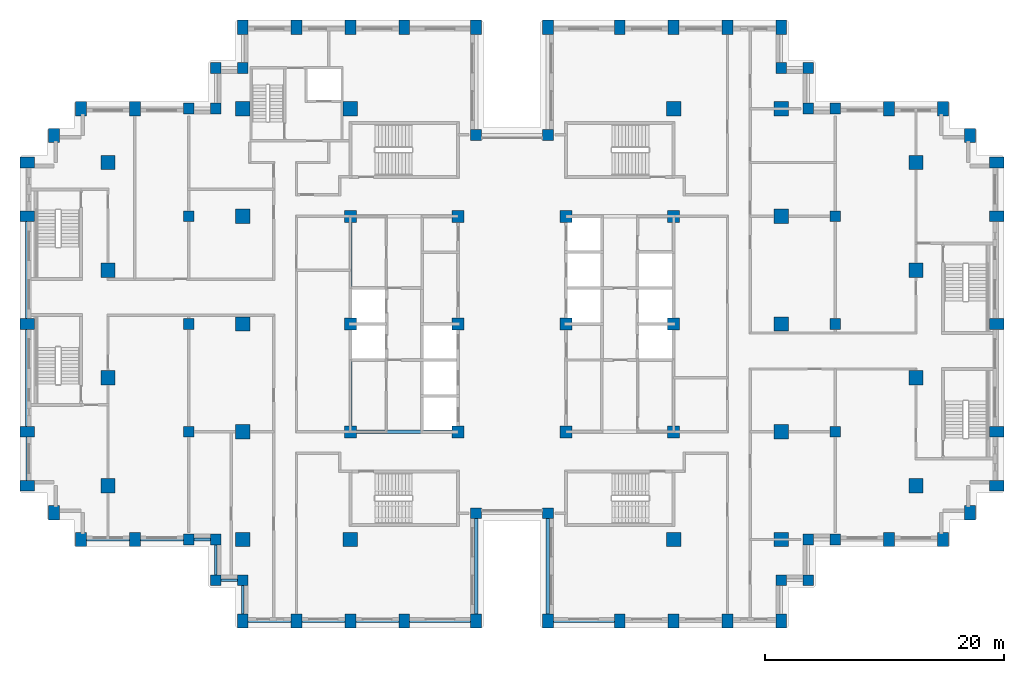
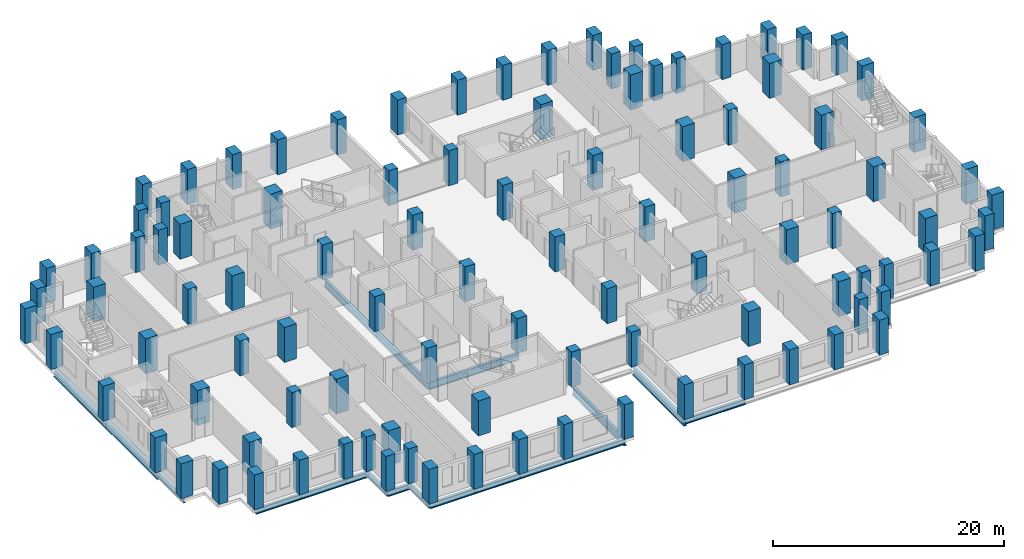
# One storey, part 1 of 15: 102 columns, 19 beams.
"""IFC4 building model written with IfcOpenShell, lengths in metres."""

from ifc_helpers import new_model, si_unit, direction, frame, origin, origin_2d, place, context, subcontext, project, spatial, rectangle, i_section, extrude, material, material_profile, profile_set, type_object, element, save


model = new_model("IFC4")

# Units and contexts
model_context = context("Model", 3, precision=1e-05, world=origin(), true_north=direction((0.0, 1.0)))
body_context = subcontext(model_context, "Body", "Model", "MODEL_VIEW")
ifc_project = project(units=[si_unit("LENGTHUNIT", "METRE"), si_unit("AREAUNIT", "SQUARE_METRE"), si_unit("VOLUMEUNIT", "CUBIC_METRE"), si_unit("PLANEANGLEUNIT", "RADIAN"), si_unit("MASSUNIT", "GRAM", prefix="KILO")], contexts=[model_context])

# Site, building, storey
site_placement = place(None, origin())
site = spatial("IfcSite", under=ifc_project, at=site_placement, CompositionType="ELEMENT")
building_placement = place(site_placement, origin())
building = spatial("IfcBuilding", under=site, at=building_placement, Name="Corbelhall Arena Tower", CompositionType="ELEMENT")
storey_placement = place(building_placement, frame((0.0, 0.0, 100.0)))
storey = spatial("IfcBuildingStorey", under=building, at=storey_placement, Name="L17", CompositionType="ELEMENT", Elevation=100.0)

# Columns
ifc_material_1 = material(Name="Concrete C80/95", Category="concrete")
ifc_material_profile_1 = material_profile(ifc_material_1, rectangle(XDim=1.0, YDim=1.0, at=origin_2d()))
ifc_profile_set_1 = profile_set([ifc_material_profile_1], Name="Concrete C80/95")
column_type_1 = type_object("IfcColumnType", Name="ST-COL-RC 1000x1000", PredefinedType="COLUMN", material=ifc_profile_set_1)
for number, where, z_axis, x_axis, name in (
    (1, (4.5, 0.0, 0.0), (0.0, 0.0, 1.0), (1.0, 0.0, 0.0), "Column KE+0450+0000"),
    (2, (4.5, 9.0, 0.0), (0.0, 0.0, 1.0), (1.0, 0.0, 0.0), "Column KE+0450+0900"),
    (3, (4.5, -9.0, 0.0), (0.0, 0.0, 1.0), (1.0, 0.0, 0.0), "Column KE+0450-0900"),
    (4, (13.5, 0.0, 0.0), (0.0, 0.0, 1.0), (1.0, 0.0, 0.0), "Column KE+1350+0000"),
    (5, (13.5, 9.0, 0.0), (0.0, 0.0, 1.0), (1.0, 0.0, 0.0), "Column KE+1350+0900"),
    (6, (13.5, -9.0, 0.0), (0.0, 0.0, 1.0), (1.0, 0.0, 0.0), "Column KE+1350-0900"),
    (7, (-4.5, 0.0, 0.0), (0.0, 0.0, 1.0), (1.0, 0.0, 0.0), "Column KW-0450+0000"),
    (8, (-4.5, 9.0, 0.0), (0.0, 0.0, 1.0), (1.0, 0.0, 0.0), "Column KW-0450+0900"),
    (9, (-4.5, -9.0, 0.0), (0.0, 0.0, 1.0), (1.0, 0.0, 0.0), "Column KW-0450-0900"),
    (10, (-13.5, 0.0, 0.0), (0.0, 0.0, 1.0), (1.0, 0.0, 0.0), "Column KW-1350+0000"),
    (11, (-13.5, 9.0, 0.0), (0.0, 0.0, 1.0), (1.0, 0.0, 0.0), "Column KW-1350+0900"),
    (12, (-13.5, -9.0, 0.0), (0.0, 0.0, 1.0), (1.0, 0.0, 0.0), "Column KW-1350-0900"),
):
    element("IfcColumn", number, at=place(storey_placement, frame(where, z_axis=z_axis, x_axis=x_axis)), inside=storey, type_object=column_type_1, Name=name, PredefinedType="COLUMN", context=body_context, shape_type="SweptSolid", body=[
        extrude(rectangle(XDim=1.0, YDim=1.0, at=origin_2d()), origin(), (0.0, 0.0, 1.0), 3.699951171875),
    ])
ifc_material_profile_2 = material_profile(ifc_material_1, rectangle(XDim=1.199951171875, YDim=1.199951171875, at=origin_2d()))
ifc_profile_set_2 = profile_set([ifc_material_profile_2], Name="Concrete C80/95")
column_type_2 = type_object("IfcColumnType", Name="ST-COL-RC 1200x1200", PredefinedType="COLUMN", material=ifc_profile_set_2)
for number, where, z_axis, x_axis, name in (
    (13, (-33.75, 4.5, 0.0), (0.0, 0.0, 1.0), (1.0, 0.0, 0.0), "Column FIC+0450"),
    (14, (-33.75, 13.5, 0.0), (0.0, 0.0, 1.0), (1.0, 0.0, 0.0), "Column FIC+1350"),
    (15, (-33.75, -4.5, 0.0), (0.0, 0.0, 1.0), (1.0, 0.0, 0.0), "Column FIC-0450"),
    (16, (-33.75, -13.5, 0.0), (0.0, 0.0, 1.0), (1.0, 0.0, 0.0), "Column FIC-1350"),
    (17, (33.75, 4.5, 0.0), (0.0, 0.0, 1.0), (1.0, 0.0, 0.0), "Column FID+0450"),
    (18, (33.75, 13.5, 0.0), (0.0, 0.0, 1.0), (1.0, 0.0, 0.0), "Column FID+1350"),
    (19, (33.75, -4.5, 0.0), (0.0, 0.0, 1.0), (1.0, 0.0, 0.0), "Column FID-0450"),
    (20, (33.75, -13.5, 0.0), (0.0, 0.0, 1.0), (1.0, 0.0, 0.0), "Column FID-1350"),
    (21, (13.5, 18.0, 0.0), (0.0, 0.0, 1.0), (1.0, 0.0, 0.0), "Column IE13+1800"),
    (22, (13.5, -18.0, 0.0), (0.0, 0.0, 1.0), (1.0, 0.0, 0.0), "Column IE13-1800"),
    (23, (22.5, 0.0, 0.0), (0.0, 0.0, 1.0), (1.0, 0.0, 0.0), "Column IE22+0000"),
    (24, (22.5, 9.0, 0.0), (0.0, 0.0, 1.0), (1.0, 0.0, 0.0), "Column IE22+0900"),
    (25, (22.5, 18.0, 0.0), (0.0, 0.0, 1.0), (1.0, 0.0, 0.0), "Column IE22+1800"),
    (26, (22.5, -9.0, 0.0), (0.0, 0.0, 1.0), (1.0, 0.0, 0.0), "Column IE22-0900"),
    (27, (22.5, -18.0, 0.0), (0.0, 0.0, 1.0), (1.0, 0.0, 0.0), "Column IE22-1800"),
    (28, (-13.5, 18.0, 0.0), (0.0, 0.0, 1.0), (1.0, 0.0, 0.0), "Column IW13+1800"),
    (29, (-13.5, -18.0, 0.0), (0.0, 0.0, 1.0), (1.0, 0.0, 0.0), "Column IW13-1800"),
    (30, (-22.5, 0.0, 0.0), (0.0, 0.0, 1.0), (1.0, 0.0, 0.0), "Column IW22+0000"),
    (31, (-22.5, 9.0, 0.0), (0.0, 0.0, 1.0), (1.0, 0.0, 0.0), "Column IW22+0900"),
    (32, (-22.5, 18.0, 0.0), (0.0, 0.0, 1.0), (1.0, 0.0, 0.0), "Column IW22+1800"),
    (33, (-22.5, -9.0, 0.0), (0.0, 0.0, 1.0), (1.0, 0.0, 0.0), "Column IW22-0900"),
    (34, (-22.5, -18.0, 0.0), (0.0, 0.0, 1.0), (1.0, 0.0, 0.0), "Column IW22-1800"),
):
    element("IfcColumn", number, at=place(storey_placement, frame(where, z_axis=z_axis, x_axis=x_axis)), inside=storey, type_object=column_type_2, Name=name, PredefinedType="COLUMN", context=body_context, shape_type="SweptSolid", body=[
        extrude(rectangle(XDim=1.199951171875, YDim=1.199951171875, at=origin_2d()), origin(), (0.0, 0.0, 1.0), 3.699951171875),
    ])
ifc_material_profile_3 = material_profile(ifc_material_1, rectangle(XDim=0.89990234375, YDim=1.199951171875, at=origin_2d()))
ifc_profile_set_3 = profile_set([ifc_material_profile_3], Name="Concrete C80/95")
column_type_3 = type_object("IfcColumnType", Name="ST-COL-RC 900x1200", PredefinedType="COLUMN", material=ifc_profile_set_3)
for number, where, z_axis, x_axis, name in (
    (35, (-40.5, 0.0, 0.0), (0.0, 0.0, 1.0), (0.0, 1.0, 0.0), "Column FC+0000"),
    (36, (-40.5, 9.0, 0.0), (0.0, 0.0, 1.0), (0.0, 1.0, 0.0), "Column FC+0900"),
    (37, (-40.5, 13.5, 0.0), (0.0, 0.0, 1.0), (0.0, 1.0, 0.0), "Column FC+1350"),
    (38, (-40.5, -9.0, 0.0), (0.0, 0.0, 1.0), (0.0, 1.0, 0.0), "Column FC-0900"),
    (39, (-40.5, -13.5, 0.0), (0.0, 0.0, 1.0), (0.0, 1.0, 0.0), "Column FC-1350"),
    (40, (-38.25, 15.75, 0.0), (0.0, 0.0, 1.0), (1.0, 0.0, 0.0), "Column FCCN"),
    (41, (-38.25, -15.75, 0.0), (0.0, 0.0, 1.0), (1.0, 0.0, 0.0), "Column FCCS"),
    (42, (-31.5, 18.0, 0.0), (0.0, 0.0, 1.0), (1.0, 0.0, 0.0), "Column FCN3150"),
    (43, (-36.0, 18.0, 0.0), (0.0, 0.0, 1.0), (1.0, 0.0, 0.0), "Column FCN3600"),
    (44, (-31.5, -18.0, 0.0), (0.0, 0.0, 1.0), (1.0, 0.0, 0.0), "Column FCS3150"),
    (45, (-36.0, -18.0, 0.0), (0.0, 0.0, 1.0), (1.0, 0.0, 0.0), "Column FCS3600"),
    (46, (40.5, 0.0, 0.0), (0.0, 0.0, 1.0), (0.0, 1.0, 0.0), "Column FD+0000"),
    (47, (40.5, 9.0, 0.0), (0.0, 0.0, 1.0), (0.0, 1.0, 0.0), "Column FD+0900"),
    (48, (40.5, 13.5, 0.0), (0.0, 0.0, 1.0), (0.0, 1.0, 0.0), "Column FD+1350"),
    (49, (40.5, -9.0, 0.0), (0.0, 0.0, 1.0), (0.0, 1.0, 0.0), "Column FD-0900"),
    (50, (40.5, -13.5, 0.0), (0.0, 0.0, 1.0), (0.0, 1.0, 0.0), "Column FD-1350"),
    (51, (38.25, 15.75, 0.0), (0.0, 0.0, 1.0), (1.0, 0.0, 0.0), "Column FDCN"),
    (52, (38.25, -15.75, 0.0), (0.0, 0.0, 1.0), (1.0, 0.0, 0.0), "Column FDCS"),
    (53, (31.5, 18.0, 0.0), (0.0, 0.0, 1.0), (1.0, 0.0, 0.0), "Column FDN3150"),
    (54, (36.0, 18.0, 0.0), (0.0, 0.0, 1.0), (1.0, 0.0, 0.0), "Column FDN3600"),
    (55, (31.5, -18.0, 0.0), (0.0, 0.0, 1.0), (1.0, 0.0, 0.0), "Column FDS3150"),
    (56, (36.0, -18.0, 0.0), (0.0, 0.0, 1.0), (1.0, 0.0, 0.0), "Column FDS3600"),
    (57, (3.0, 24.800048828125, 0.0), (0.0, 0.0, 1.0), (1.0, 0.0, 0.0), "Column PNE0300"),
    (58, (9.0, 24.800048828125, 0.0), (0.0, 0.0, 1.0), (1.0, 0.0, 0.0), "Column PNE0900"),
    (59, (13.5, 24.800048828125, 0.0), (0.0, 0.0, 1.0), (1.0, 0.0, 0.0), "Column PNE1350"),
    (60, (18.0, 24.800048828125, 0.0), (0.0, 0.0, 1.0), (1.0, 0.0, 0.0), "Column PNE1800"),
    (61, (22.5, 24.800048828125, 0.0), (0.0, 0.0, 1.0), (1.0, 0.0, 0.0), "Column PNE2250"),
    (62, (-3.0, 24.800048828125, 0.0), (0.0, 0.0, 1.0), (1.0, 0.0, 0.0), "Column PNW0300"),
    (63, (-9.0, 24.800048828125, 0.0), (0.0, 0.0, 1.0), (1.0, 0.0, 0.0), "Column PNW0900"),
    (64, (-13.5, 24.800048828125, 0.0), (0.0, 0.0, 1.0), (1.0, 0.0, 0.0), "Column PNW1350"),
    (65, (-18.0, 24.800048828125, 0.0), (0.0, 0.0, 1.0), (1.0, 0.0, 0.0), "Column PNW1800"),
    (66, (-22.5, 24.800048828125, 0.0), (0.0, 0.0, 1.0), (1.0, 0.0, 0.0), "Column PNW2250"),
    (67, (3.0, -24.800048828125, 0.0), (0.0, 0.0, 1.0), (1.0, 0.0, 0.0), "Column PSE0300"),
    (68, (9.0, -24.800048828125, 0.0), (0.0, 0.0, 1.0), (1.0, 0.0, 0.0), "Column PSE0900"),
    (69, (13.5, -24.800048828125, 0.0), (0.0, 0.0, 1.0), (1.0, 0.0, 0.0), "Column PSE1350"),
    (70, (18.0, -24.800048828125, 0.0), (0.0, 0.0, 1.0), (1.0, 0.0, 0.0), "Column PSE1800"),
    (71, (22.5, -24.800048828125, 0.0), (0.0, 0.0, 1.0), (1.0, 0.0, 0.0), "Column PSE2250"),
    (72, (-3.0, -24.800048828125, 0.0), (0.0, 0.0, 1.0), (1.0, 0.0, 0.0), "Column PSW0300"),
    (73, (-9.0, -24.800048828125, 0.0), (0.0, 0.0, 1.0), (1.0, 0.0, 0.0), "Column PSW0900"),
    (74, (-13.5, -24.800048828125, 0.0), (0.0, 0.0, 1.0), (1.0, 0.0, 0.0), "Column PSW1350"),
    (75, (-18.0, -24.800048828125, 0.0), (0.0, 0.0, 1.0), (1.0, 0.0, 0.0), "Column PSW1800"),
    (76, (-22.5, -24.800048828125, 0.0), (0.0, 0.0, 1.0), (1.0, 0.0, 0.0), "Column PSW2250"),
):
    element("IfcColumn", number, at=place(storey_placement, frame(where, z_axis=z_axis, x_axis=x_axis)), inside=storey, type_object=column_type_3, Name=name, PredefinedType="COLUMN", context=body_context, shape_type="SweptSolid", body=[
        extrude(rectangle(XDim=0.89990234375, YDim=1.199951171875, at=origin_2d()), origin(), (0.0, 0.0, 1.0), 3.699951171875),
    ])
ifc_material_profile_4 = material_profile(ifc_material_1, rectangle(XDim=0.89990234375, YDim=0.89990234375, at=origin_2d()))
ifc_profile_set_4 = profile_set([ifc_material_profile_4], Name="Concrete C80/95")
column_type_4 = type_object("IfcColumnType", Name="ST-COL-RC 900x900", PredefinedType="COLUMN", material=ifc_profile_set_4)
for number, where, z_axis, x_axis, name in (
    (77, (27.0, 0.0, 0.0), (0.0, 0.0, 1.0), (1.0, 0.0, 0.0), "Column PE+0000"),
    (78, (27.0, 9.0, 0.0), (0.0, 0.0, 1.0), (1.0, 0.0, 0.0), "Column PE+0900"),
    (79, (27.0, 18.0, 0.0), (0.0, 0.0, 1.0), (1.0, 0.0, 0.0), "Column PE+1800"),
    (80, (27.0, -9.0, 0.0), (0.0, 0.0, 1.0), (1.0, 0.0, 0.0), "Column PE-0900"),
    (81, (27.0, -18.0, 0.0), (0.0, 0.0, 1.0), (1.0, 0.0, 0.0), "Column PE-1800"),
    (82, (-27.0, 0.0, 0.0), (0.0, 0.0, 1.0), (1.0, 0.0, 0.0), "Column PW+0000"),
    (83, (-27.0, 9.0, 0.0), (0.0, 0.0, 1.0), (1.0, 0.0, 0.0), "Column PW+0900"),
    (84, (-27.0, 18.0, 0.0), (0.0, 0.0, 1.0), (1.0, 0.0, 0.0), "Column PW+1800"),
    (85, (-27.0, -9.0, 0.0), (0.0, 0.0, 1.0), (1.0, 0.0, 0.0), "Column PW-0900"),
    (86, (-27.0, -18.0, 0.0), (0.0, 0.0, 1.0), (1.0, 0.0, 0.0), "Column PW-1800"),
    (87, (3.0, 15.800048828125, 0.0), (0.0, 0.0, 1.0), (1.0, 0.0, 0.0), "Column SLNE2"),
    (88, (-3.0, 15.800048828125, 0.0), (0.0, 0.0, 1.0), (1.0, 0.0, 0.0), "Column SLNW2"),
    (89, (3.0, -15.800048828125, 0.0), (0.0, 0.0, 1.0), (1.0, 0.0, 0.0), "Column SLSE2"),
    (90, (-3.0, -15.800048828125, 0.0), (0.0, 0.0, 1.0), (1.0, 0.0, 0.0), "Column SLSW2"),
    (91, (22.5, 21.39990234375, 0.0), (0.0, 0.0, 1.0), (1.0, 0.0, 0.0), "Column XNE1"),
    (92, (24.75, 21.39990234375, 0.0), (0.0, 0.0, 1.0), (1.0, 0.0, 0.0), "Column XNE2"),
    (93, (24.75, 18.0, 0.0), (0.0, 0.0, 1.0), (1.0, 0.0, 0.0), "Column XNE3"),
    (94, (-22.5, 21.39990234375, 0.0), (0.0, 0.0, 1.0), (1.0, 0.0, 0.0), "Column XNW1"),
    (95, (-24.75, 21.39990234375, 0.0), (0.0, 0.0, 1.0), (1.0, 0.0, 0.0), "Column XNW2"),
    (96, (-24.75, 18.0, 0.0), (0.0, 0.0, 1.0), (1.0, 0.0, 0.0), "Column XNW3"),
    (97, (22.5, -21.39990234375, 0.0), (0.0, 0.0, 1.0), (1.0, 0.0, 0.0), "Column XSE1"),
    (98, (24.75, -21.39990234375, 0.0), (0.0, 0.0, 1.0), (1.0, 0.0, 0.0), "Column XSE2"),
    (99, (24.75, -18.0, 0.0), (0.0, 0.0, 1.0), (1.0, 0.0, 0.0), "Column XSE3"),
    (100, (-22.5, -21.39990234375, 0.0), (0.0, 0.0, 1.0), (1.0, 0.0, 0.0), "Column XSW1"),
    (101, (-24.75, -21.39990234375, 0.0), (0.0, 0.0, 1.0), (1.0, 0.0, 0.0), "Column XSW2"),
    (102, (-24.75, -18.0, 0.0), (0.0, 0.0, 1.0), (1.0, 0.0, 0.0), "Column XSW3"),
):
    element("IfcColumn", number, at=place(storey_placement, frame(where, z_axis=z_axis, x_axis=x_axis)), inside=storey, type_object=column_type_4, Name=name, PredefinedType="COLUMN", context=body_context, shape_type="SweptSolid", body=[
        extrude(rectangle(XDim=0.89990234375, YDim=0.89990234375, at=origin_2d()), origin(), (0.0, 0.0, 1.0), 3.699951171875),
    ])

# Beams
ifc_material_2 = material(Name="Steel ASTM A992 Gr50", Category="steel")
ifc_material_profile_5 = material_profile(ifc_material_2, i_section(OverallWidth=0.2666015625, OverallDepth=0.761962890625, WebThickness=0.014404296875, FlangeThickness=0.021484375, at=origin_2d()))
ifc_profile_set_5 = profile_set([ifc_material_profile_5], Name="Steel ASTM A992 Gr50")
beam_type_1 = type_object("IfcBeamType", Name="ST-BEAM-W30x116", PredefinedType="BEAM", material=ifc_profile_set_5)
for number, where, z_axis, x_axis, name in (
    (103, (-13.5, -9.0, -0.680908203125), (0.0, 1.0, 0.0), (-1.0, 0.0, 0.0), "Beam CEW 1"),
    (104, (-13.5, 0.0, -0.680908203125), (0.0, 1.0, 0.0), (-1.0, 0.0, 0.0), "Beam CEW 2"),
    (105, (-13.5, -9.0, -0.680908203125), (1.0, 0.0, 0.0), (0.0, 1.0, 0.0), "Beam CEW 5"),
):
    element("IfcBeam", number, at=place(storey_placement, frame(where, z_axis=z_axis, x_axis=x_axis)), inside=storey, type_object=beam_type_1, Name=name, PredefinedType="BEAM", context=body_context, shape_type="SweptSolid", body=[
        extrude(i_section(OverallWidth=0.2666015625, OverallDepth=0.761962890625, WebThickness=0.014404296875, FlangeThickness=0.021484375, at=origin_2d()), origin(), (0.0, 0.0, 1.0), 9.0),
    ])
ifc_material_profile_6 = material_profile(ifc_material_2, i_section(OverallWidth=0.23046875, OverallDepth=0.6171875, WebThickness=0.01318359375, FlangeThickness=0.022216796875, at=origin_2d()))
ifc_profile_set_6 = profile_set([ifc_material_profile_6], Name="Steel ASTM A992 Gr50")
beam_type_2 = type_object("IfcBeamType", Name="ST-SPANDREL-W24x94", PredefinedType="SPANDREL", material=ifc_profile_set_6)
for number, where, z_axis, x_axis, name in (
    (106, (-40.5, -13.5, -0.608642578125), (0.0, 1.0, 0.0), (-1.0, 0.0, 0.0), "Beam SP 4"),
    (107, (-31.5, -18.0, -0.608642578125), (-1.0, 0.0, 0.0), (0.0, -1.0, 0.0), "Beam SP 7"),
):
    element("IfcBeam", number, at=place(storey_placement, frame(where, z_axis=z_axis, x_axis=x_axis)), inside=storey, type_object=beam_type_2, Name=name, PredefinedType="SPANDREL", context=body_context, shape_type="SweptSolid", body=[
        extrude(i_section(OverallWidth=0.23046875, OverallDepth=0.6171875, WebThickness=0.01318359375, FlangeThickness=0.022216796875, at=origin_2d()), origin(), (0.0, 0.0, 1.0), 4.5),
    ])
for number, where, z_axis, x_axis, name in (
    (108, (9.0, -24.800048828125, -0.608642578125), (-1.0, 0.0, 0.0), (0.0, -1.0, 0.0), "Beam SP 28"),
    (109, (-3.0, -24.800048828125, -0.608642578125), (-1.0, 0.0, 0.0), (0.0, -1.0, 0.0), "Beam SP 32"),
):
    element("IfcBeam", number, at=place(storey_placement, frame(where, z_axis=z_axis, x_axis=x_axis)), inside=storey, type_object=beam_type_2, Name=name, PredefinedType="SPANDREL", context=body_context, shape_type="SweptSolid", body=[
        extrude(i_section(OverallWidth=0.23046875, OverallDepth=0.6171875, WebThickness=0.01318359375, FlangeThickness=0.022216796875, at=origin_2d()), origin(), (0.0, 0.0, 1.0), 6.0),
    ])
for number, where, z_axis, x_axis, name in (
    (110, (-9.0, -24.800048828125, -0.608642578125), (-1.0, 0.0, 0.0), (0.0, -1.0, 0.0), "Beam SP 33"),
    (111, (-13.5, -24.800048828125, -0.608642578125), (-1.0, 0.0, 0.0), (0.0, -1.0, 0.0), "Beam SP 34"),
    (112, (-18.0, -24.800048828125, -0.608642578125), (-1.0, 0.0, 0.0), (0.0, -1.0, 0.0), "Beam SP 35"),
):
    element("IfcBeam", number, at=place(storey_placement, frame(where, z_axis=z_axis, x_axis=x_axis)), inside=storey, type_object=beam_type_2, Name=name, PredefinedType="SPANDREL", context=body_context, shape_type="SweptSolid", body=[
        extrude(i_section(OverallWidth=0.23046875, OverallDepth=0.6171875, WebThickness=0.01318359375, FlangeThickness=0.022216796875, at=origin_2d()), origin(), (0.0, 0.0, 1.0), 4.5),
    ])
beam_1_placement = place(storey_placement, frame((-22.5, -24.800048828125, -0.608642578125), z_axis=(0.0, 1.0, 0.0), x_axis=(-1.0, 0.0, 0.0)))
element("IfcBeam", 113, at=beam_1_placement, inside=storey, type_object=beam_type_2, Name="Beam SP 36", PredefinedType="SPANDREL", context=body_context, shape_type="SweptSolid", body=[
    extrude(i_section(OverallWidth=0.23046875, OverallDepth=0.6171875, WebThickness=0.01318359375, FlangeThickness=0.022216796875, at=origin_2d()), origin(), (0.0, 0.0, 1.0), 3.400146484375),
])
beam_2_placement = place(storey_placement, frame((-27.0, -18.0, -0.608642578125), z_axis=(-1.0, 0.0, 0.0), x_axis=(0.0, -1.0, 0.0)))
element("IfcBeam", 114, at=beam_2_placement, inside=storey, type_object=beam_type_2, Name="Beam SP 38", PredefinedType="SPANDREL", context=body_context, shape_type="SweptSolid", body=[
    extrude(i_section(OverallWidth=0.23046875, OverallDepth=0.6171875, WebThickness=0.01318359375, FlangeThickness=0.022216796875, at=origin_2d()), origin(), (0.0, 0.0, 1.0), 4.5),
])
beam_3_placement = place(storey_placement, frame((-22.5, -21.39990234375, -0.608642578125), z_axis=(-1.0, 0.0, 0.0), x_axis=(0.0, -1.0, 0.0)))
element("IfcBeam", 115, at=beam_3_placement, inside=storey, type_object=beam_type_2, Name="Beam SP 52", PredefinedType="SPANDREL", context=body_context, shape_type="SweptSolid", body=[
    extrude(i_section(OverallWidth=0.23046875, OverallDepth=0.6171875, WebThickness=0.01318359375, FlangeThickness=0.022216796875, at=origin_2d()), origin(), (0.0, 0.0, 1.0), 2.25),
])
beam_4_placement = place(storey_placement, frame((-24.75, -21.39990234375, -0.608642578125), z_axis=(0.0, 1.0, 0.0), x_axis=(-1.0, 0.0, 0.0)))
element("IfcBeam", 116, at=beam_4_placement, inside=storey, type_object=beam_type_2, Name="Beam SP 53", PredefinedType="SPANDREL", context=body_context, shape_type="SweptSolid", body=[
    extrude(i_section(OverallWidth=0.23046875, OverallDepth=0.6171875, WebThickness=0.01318359375, FlangeThickness=0.022216796875, at=origin_2d()), origin(), (0.0, 0.0, 1.0), 3.39990234375),
])
beam_5_placement = place(storey_placement, frame((-24.75, -18.0, -0.608642578125), z_axis=(-1.0, 0.0, 0.0), x_axis=(0.0, -1.0, 0.0)))
element("IfcBeam", 117, at=beam_5_placement, inside=storey, type_object=beam_type_2, Name="Beam SP 54", PredefinedType="SPANDREL", context=body_context, shape_type="SweptSolid", body=[
    extrude(i_section(OverallWidth=0.23046875, OverallDepth=0.6171875, WebThickness=0.01318359375, FlangeThickness=0.022216796875, at=origin_2d()), origin(), (0.0, 0.0, 1.0), 2.25),
])
ifc_material_profile_7 = material_profile(ifc_material_2, i_section(OverallWidth=0.2919921875, OverallDepth=0.845703125, WebThickness=0.015380859375, FlangeThickness=0.0244140625, at=origin_2d()))
ifc_profile_set_7 = profile_set([ifc_material_profile_7], Name="Steel ASTM A992 Gr50")
beam_type_3 = type_object("IfcBeamType", Name="ST-SPANDREL-W33x141", PredefinedType="SPANDREL", material=ifc_profile_set_7)
for number, where, z_axis, x_axis, name in (
    (118, (-40.5, 0.0, -0.722900390625), (0.0, 1.0, 0.0), (-1.0, 0.0, 0.0), "Beam SP 1"),
    (119, (-40.5, -9.0, -0.722900390625), (0.0, 1.0, 0.0), (-1.0, 0.0, 0.0), "Beam SP 3"),
    (120, (3.0, -24.800048828125, -0.722900390625), (0.0, 1.0, 0.0), (-1.0, 0.0, 0.0), "Beam SP 27"),
    (121, (-3.0, -15.800048828125, -0.722900390625), (0.0, -1.0, 0.0), (1.0, 0.0, 0.0), "Beam SP 42"),
):
    element("IfcBeam", number, at=place(storey_placement, frame(where, z_axis=z_axis, x_axis=x_axis)), inside=storey, type_object=beam_type_3, Name=name, PredefinedType="SPANDREL", context=body_context, shape_type="SweptSolid", body=[
        extrude(i_section(OverallWidth=0.2919921875, OverallDepth=0.845703125, WebThickness=0.015380859375, FlangeThickness=0.0244140625, at=origin_2d()), origin(), (0.0, 0.0, 1.0), 9.0),
    ])

save(model, "model.ifc")
